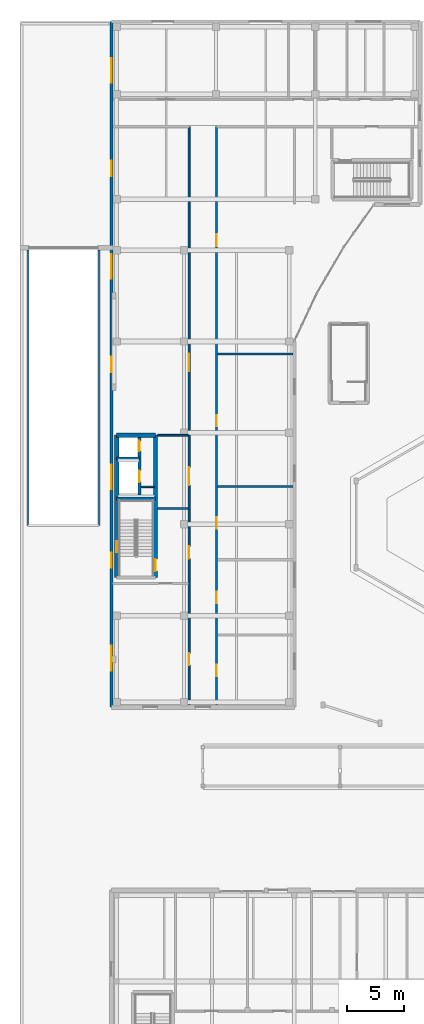
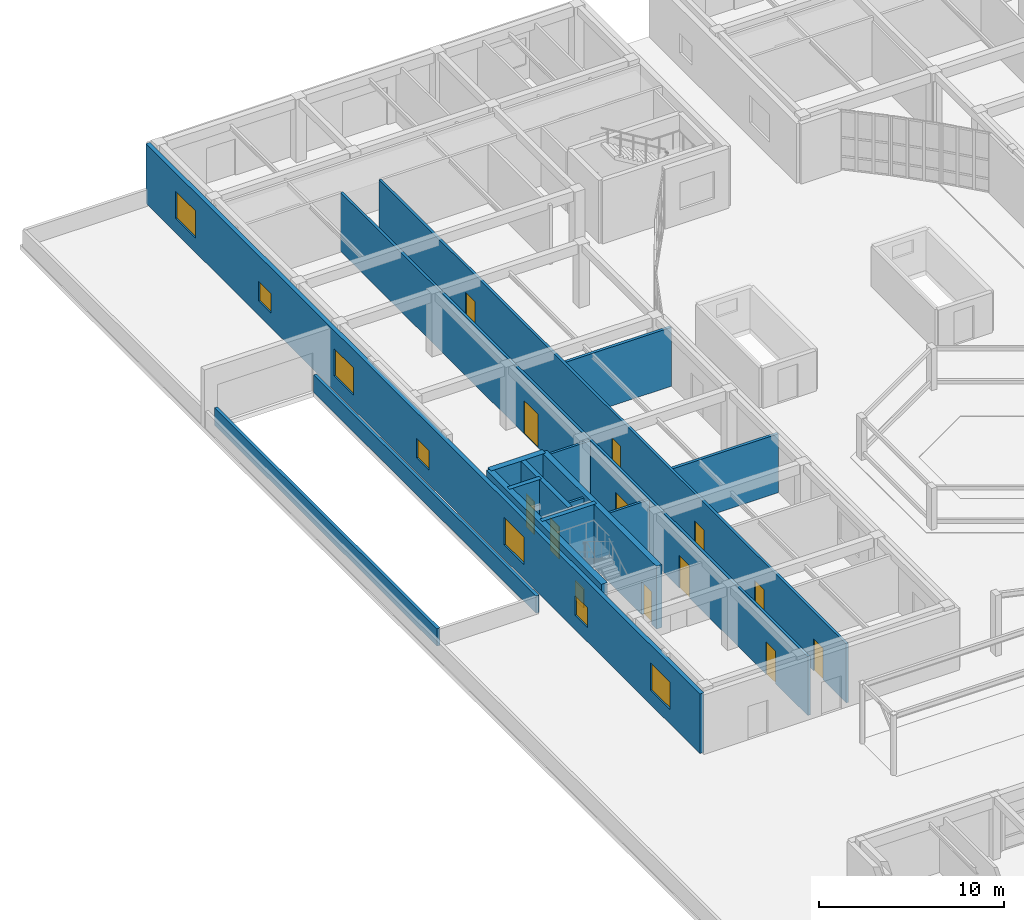
# One storey, part 79 of 114: 16 walls, 12 doors, 8 windows, 20 openings.
"""IFC4 building model written with IfcOpenShell, lengths in metres."""

from ifc_helpers import new_model, si_unit, direction, frame, frame_2d, origin, place, context, subcontext, project, spatial, rectangle, extrude, material, layer, layer_set, type_object, element, fill, save


model = new_model("IFC4")

# Units and contexts
model_context = context("Model", 3, precision=1e-05, world=origin(), true_north=direction((0.0, 1.0)))
body_context = subcontext(model_context, "Body", "Model", "MODEL_VIEW")
ifc_project = project(units=[si_unit("LENGTHUNIT", "METRE"), si_unit("AREAUNIT", "SQUARE_METRE"), si_unit("VOLUMEUNIT", "CUBIC_METRE"), si_unit("PLANEANGLEUNIT", "RADIAN"), si_unit("MASSUNIT", "GRAM", prefix="KILO")], contexts=[model_context])

# Site, building, storey
site_placement = place(None, origin())
site = spatial("IfcSite", under=ifc_project, at=site_placement, CompositionType="ELEMENT")
building_placement = place(site_placement, origin())
building = spatial("IfcBuilding", under=site, at=building_placement, Name="Keldmere Railside Commons", CompositionType="ELEMENT")
storey_placement = place(building_placement, origin())
storey = spatial("IfcBuildingStorey", under=building, at=storey_placement, Name="L00", CompositionType="ELEMENT", Elevation=0.0)

# Walls
ifc_material_1 = material(Name="Acoustic Gypsum Board Partition", Category="gypsum")
ifc_layer_1 = layer(ifc_material_1, 0.179931640625, Name="Acoustic Demising Partition 180")
ifc_layer_set_1 = layer_set([ifc_layer_1], Name="Acoustic Gypsum Board Partition")
wall_type_1 = type_object("IfcWallType", Name="Acoustic Demising Partition 180", PredefinedType="PARTITIONING", material=ifc_layer_set_1)
for number, where, z_axis, x_axis, name in (
    (1, (17.280029296875, 75.300048828125, 0.0), (0.0, 0.0, 1.0), (1.0, 0.0, 0.0), "IW-1 IW-L00-0193"),
    (2, (17.280029296875, 86.89990234375, 0.0), (0.0, 0.0, 1.0), (1.0, 0.0, 0.0), "IW-1 IW-L00-0194"),
):
    element("IfcWall", number, at=place(storey_placement, frame(where, z_axis=z_axis, x_axis=x_axis)), inside=storey, type_object=wall_type_1, Name=name, PredefinedType="PARTITIONING", context=body_context, shape_type="SweptSolid", body=[
        extrude(rectangle(XDim=6.590087890625, YDim=0.179931640625, at=frame_2d((3.294921875, 0.0))), origin(), (0.0, 0.0, 1.0), 3.89501953125),
    ])
ifc_material_2 = material(Name="Concrete H-35 (C35/45)", Category="concrete")
ifc_layer_2 = layer(ifc_material_2, 0.280029296875, Name="Core Shear Wall 280")
ifc_layer_set_2 = layer_set([ifc_layer_2], Name="Concrete H-35 (C35/45)")
wall_type_2 = type_object("IfcWallType", Name="Core Shear Wall 280", PredefinedType="SHEAR", material=ifc_layer_set_2)
wall_1_placement = place(storey_placement, frame((8.4599609375, 74.239990234375, 0.0), z_axis=(0.0, 0.0, 1.0), x_axis=(1.0, 0.0, 0.0)))
element("IfcWall", 3, at=wall_1_placement, inside=storey, type_object=wall_type_2, Name="CSW-2 COREDM-L00-0031", PredefinedType="SHEAR", context=body_context, shape_type="SweptSolid", body=[
    extrude(rectangle(XDim=3.41015625, YDim=0.280029296875, at=frame_2d((1.705078125, 0.0))), origin(), (0.0, 0.0, 1.0), 4.159912109375),
])
wall_2_placement = place(storey_placement, frame((8.4599609375, 77.75, 0.0), z_axis=(0.0, 0.0, 1.0), x_axis=(1.0, 0.0, 0.0)))
element("IfcWall", 4, at=wall_2_placement, inside=storey, type_object=wall_type_2, Name="CSW-2 COREDL-L00-0032", PredefinedType="SHEAR", context=body_context, shape_type="SweptSolid", body=[
    extrude(rectangle(XDim=2.0, YDim=0.280029296875, at=frame_2d((1.0, 0.0))), origin(), (0.0, 0.0, 1.0), 4.159912109375),
])

# Wall, openings, doors
wall_3_placement = place(storey_placement, frame((10.4599609375, 74.550048828125, 0.0), z_axis=(0.0, 0.0, 1.0), x_axis=(0.0, 1.0, 0.0)))
wall_3 = element("IfcWall", 5, at=wall_3_placement, inside=storey, type_object=wall_type_2, Name="CSW-2 LSHD-L00-0033", PredefinedType="SHEAR", context=body_context, shape_type="SweptSolid", body=[
    extrude(rectangle(XDim=5.25, YDim=0.280029296875, at=frame_2d((2.625, 0.0))), origin(), (0.0, 0.0, 1.0), 4.159912109375),
])
opening_1_placement = place(wall_3_placement, frame((1.14990234375, 0.0, 0.0)))
opening_1 = element("IfcOpeningElement", 6, at=opening_1_placement, cuts=wall_3, Name="Opening LD-1", PredefinedType="OPENING", context=body_context, shape_type="SweptSolid", body=[
    extrude(rectangle(XDim=1.0, YDim=2.14990234375, at=frame_2d((0.5, 1.074951171875))), frame((0.0, 0.14990234375, 0.0), z_axis=(0.0, -1.0, 0.0), x_axis=(1.0, 0.0, 0.0)), (0.0, 0.0, 1.0), 0.300048828125),
])
opening_2_placement = place(wall_3_placement, frame((3.85009765625, 0.0, 0.0)))
opening_2 = element("IfcOpeningElement", 7, at=opening_2_placement, cuts=wall_3, Name="Opening LD-2", PredefinedType="OPENING", context=body_context, shape_type="SweptSolid", body=[
    extrude(rectangle(XDim=0.89990234375, YDim=2.14990234375, at=frame_2d((0.449951171875, 1.074951171875))), frame((0.0, 0.14990234375, 0.0), z_axis=(0.0, -1.0, 0.0), x_axis=(1.0, 0.0, 0.0)), (0.0, 0.0, 1.0), 0.300048828125),
])
ifc_material_3 = material(Name="Steel F-24 (S235)", Category="steel")
door_type_1 = type_object("IfcDoorType", Name="Firefighting Stretcher Lift Landing Door 1000x2150", OperationType="SLIDING_TO_LEFT", PredefinedType="DOOR", material=ifc_material_3)
door_1_placement = place(opening_1_placement, origin())
door_1 = element("IfcDoor", 8, at=door_1_placement, inside=storey, type_object=door_type_1, Name="LD-1 D L00", OperationType="SLIDING_TO_LEFT", OverallHeight=2.14990234375, OverallWidth=1.0, PredefinedType="DOOR", context=body_context, shape_type="SweptSolid", body=[
    extrude(rectangle(XDim=1.0, YDim=2.14990234375, at=frame_2d((0.5, 1.074951171875))), frame((0.0, 0.02490234375, 0.0), z_axis=(0.0, -1.0, 0.0), x_axis=(1.0, 0.0, 0.0)), (0.0, 0.0, 1.0), 0.050048828125),
])
fill(opening_1, door_1)
door_type_2 = type_object("IfcDoorType", Name="Passenger Lift Sliding Landing Door 900x2150", OperationType="SLIDING_TO_RIGHT", PredefinedType="DOOR", material=ifc_material_3)
door_2_placement = place(opening_2_placement, origin())
door_2 = element("IfcDoor", 9, at=door_2_placement, inside=storey, type_object=door_type_2, Name="LD-2 D L00", OperationType="SLIDING_TO_RIGHT", OverallHeight=2.14990234375, OverallWidth=0.89990234375, PredefinedType="DOOR", context=body_context, shape_type="SweptSolid", body=[
    extrude(rectangle(XDim=0.89990234375, YDim=2.14990234375, at=frame_2d((0.449951171875, 1.074951171875))), frame((0.0, 0.02490234375, 0.0), z_axis=(0.0, -1.0, 0.0), x_axis=(1.0, 0.0, 0.0)), (0.0, 0.0, 1.0), 0.050048828125),
])
fill(opening_2, door_2)

# Wall, opening, window
ifc_material_4 = material(Name="Concrete H-40 (C40/50)", Category="concrete")
ifc_layer_3 = layer(ifc_material_4, 0.3798828125, Name="Core Shear Wall 380")
ifc_layer_set_3 = layer_set([ifc_layer_3], Name="Concrete H-40 (C40/50)")
wall_type_3 = type_object("IfcWallType", Name="Core Shear Wall 380", PredefinedType="SHEAR", material=ifc_layer_set_3)
wall_4_placement = place(storey_placement, frame((8.4599609375, 67.35009765625, 0.0), z_axis=(0.0, 0.0, 1.0), x_axis=(0.0, 1.0, 0.0)))
wall_4 = element("IfcWall", 10, at=wall_4_placement, inside=storey, type_object=wall_type_3, Name="CW-CORE COREDW-L00-0027", PredefinedType="SHEAR", context=body_context, shape_type="SweptSolid", body=[
    extrude(rectangle(XDim=12.449951171875, YDim=0.3798828125, at=frame_2d((6.22509765625, 0.0))), origin(), (0.0, 0.0, 1.0), 4.159912109375),
])
opening_3_placement = place(wall_4_placement, frame((2.199951171875, 0.0, 1.199951171875)))
opening_3 = element("IfcOpeningElement", 11, at=opening_3_placement, cuts=wall_4, Name="Opening WN-17", PredefinedType="OPENING", context=body_context, shape_type="SweptSolid", body=[
    extrude(rectangle(XDim=0.949951171875, YDim=1.25, at=frame_2d((0.47509765625, 0.625))), frame((0.0, 0.199951171875, 0.0), z_axis=(0.0, -1.0, 0.0), x_axis=(1.0, 0.0, 0.0)), (0.0, 0.0, 1.0), 0.39990234375),
])
ifc_material_5 = material(Name="Low-E Insulated Double Glazing", Category="glass")
window_type_1 = type_object("IfcWindowType", Name="Stair Core Natural Smoke-Vent Window 950x1250", PartitioningType="SINGLE_PANEL", PredefinedType="WINDOW", material=ifc_material_5)
window_1_placement = place(opening_3_placement, origin())
window_1 = element("IfcWindow", 12, at=window_1_placement, inside=storey, type_object=window_type_1, Name="WN-17 WIN-L00-0007", OverallHeight=1.25, OverallWidth=0.949951171875, PartitioningType="SINGLE_PANEL", PredefinedType="WINDOW", context=body_context, shape_type="SweptSolid", body=[
    extrude(rectangle(XDim=0.949951171875, YDim=1.25, at=frame_2d((0.47509765625, 0.625))), frame((0.0, 0.030029296875, 0.0), z_axis=(0.0, -1.0, 0.0), x_axis=(1.0, 0.0, 0.0)), (0.0, 0.0, 1.0), 0.06005859375),
])
fill(opening_3, window_1)

# Wall
wall_5_placement = place(storey_placement, frame((8.4599609375, 79.800048828125, 0.0), z_axis=(0.0, 0.0, 1.0), x_axis=(1.0, 0.0, 0.0)))
element("IfcWall", 13, at=wall_5_placement, inside=storey, type_object=wall_type_3, Name="CW-CORE COREDN-L00-0028", PredefinedType="SHEAR", context=body_context, shape_type="SweptSolid", body=[
    extrude(rectangle(XDim=3.41015625, YDim=0.3798828125, at=frame_2d((1.705078125, 0.0))), origin(), (0.0, 0.0, 1.0), 4.159912109375),
])

# Wall, openings, doors
ifc_layer_4 = layer(ifc_material_1, 0.159912109375, Name="Corridor Fire Partition 160")
ifc_layer_set_4 = layer_set([ifc_layer_4], Name="Acoustic Gypsum Board Partition")
wall_type_4 = type_object("IfcWallType", Name="Corridor Fire Partition 160", PredefinedType="PARTITIONING", material=ifc_layer_set_4)
wall_6_placement = place(storey_placement, frame((14.800048828125, 56.179931640625, 0.0), z_axis=(0.0, 0.0, 1.0), x_axis=(0.0, 1.0, 0.0)))
wall_6 = element("IfcWall", 14, at=wall_6_placement, inside=storey, type_object=wall_type_4, Name="IW-2 IW-L00-0183", PredefinedType="PARTITIONING", context=body_context, shape_type="SweptSolid", body=[
    extrude(rectangle(XDim=50.6201171875, YDim=0.159912109375, at=frame_2d((25.31005859375, 0.0))), origin(), (0.0, 0.0, 1.0), 3.89501953125),
])
opening_4_placement = place(wall_6_placement, frame((12.820068359375, 0.0, 0.0)))
opening_4 = element("IfcOpeningElement", 15, at=opening_4_placement, cuts=wall_6, Name="Opening FD-2", PredefinedType="OPENING", context=body_context, shape_type="SweptSolid", body=[
    extrude(rectangle(XDim=1.10009765625, YDim=2.14990234375, at=frame_2d((0.550048828125, 1.074951171875))), frame((0.0, 0.08984375, 0.0), z_axis=(0.0, -1.0, 0.0), x_axis=(1.0, 0.0, 0.0)), (0.0, 0.0, 1.0), 0.179931640625),
])
opening_5_placement = place(wall_6_placement, frame((19.219970703125, 0.0, 0.0)))
opening_5 = element("IfcOpeningElement", 16, at=opening_5_placement, cuts=wall_6, Name="Opening FD-4", PredefinedType="OPENING", context=body_context, shape_type="SweptSolid", body=[
    extrude(rectangle(XDim=1.60009765625, YDim=2.14990234375, at=frame_2d((0.800048828125, 1.074951171875))), frame((0.0, 0.08984375, 0.0), z_axis=(0.0, -1.0, 0.0), x_axis=(1.0, 0.0, 0.0)), (0.0, 0.0, 1.0), 0.179931640625),
])
opening_6_placement = place(wall_6_placement, frame((3.5, 0.0, 0.0)))
opening_6 = element("IfcOpeningElement", 17, at=opening_6_placement, cuts=wall_6, Name="Opening FD-1", PredefinedType="OPENING", context=body_context, shape_type="SweptSolid", body=[
    extrude(rectangle(XDim=1.050048828125, YDim=2.14990234375, at=frame_2d((0.52490234375, 1.074951171875))), frame((0.0, 0.08984375, 0.0), z_axis=(0.0, -1.0, 0.0), x_axis=(1.0, 0.0, 0.0)), (0.0, 0.0, 1.0), 0.179931640625),
])
opening_7_placement = place(wall_6_placement, frame((29.199951171875, 0.0, 0.0)))
opening_7 = element("IfcOpeningElement", 18, at=opening_7_placement, cuts=wall_6, Name="Opening ID-16", PredefinedType="OPENING", context=body_context, shape_type="SweptSolid", body=[
    extrude(rectangle(XDim=1.550048828125, YDim=2.199951171875, at=frame_2d((0.77490234375, 1.10009765625))), frame((0.0, 0.08984375, 0.0), z_axis=(0.0, -1.0, 0.0), x_axis=(1.0, 0.0, 0.0)), (0.0, 0.0, 1.0), 0.179931640625),
])
door_type_3 = type_object("IfcDoorType", Name="Bicycle Hub Double Swing Door 1550x2200", OperationType="DOUBLE_DOOR_SINGLE_SWING", PredefinedType="DOOR", material=ifc_material_3)
door_3_placement = place(opening_7_placement, origin())
door_3 = element("IfcDoor", 19, at=door_3_placement, inside=storey, type_object=door_type_3, Name="ID-16 IDR-L00-0108", OperationType="DOUBLE_DOOR_SINGLE_SWING", OverallHeight=2.199951171875, OverallWidth=1.550048828125, PredefinedType="DOOR", context=body_context, shape_type="SweptSolid", body=[
    extrude(rectangle(XDim=1.550048828125, YDim=2.199951171875, at=frame_2d((0.77490234375, 1.10009765625))), frame((0.0, 0.02490234375, 0.0), z_axis=(0.0, -1.0, 0.0), x_axis=(1.0, 0.0, 0.0)), (0.0, 0.0, 1.0), 0.050048828125),
])
fill(opening_7, door_3)
door_type_4 = type_object("IfcDoorType", Name="Corridor Cross-Compartment Double Fire Door 1600x2150", OperationType="DOUBLE_DOOR_SINGLE_SWING", PredefinedType="DOOR", material=ifc_material_3)
door_4_placement = place(opening_5_placement, origin())
door_4 = element("IfcDoor", 20, at=door_4_placement, inside=storey, type_object=door_type_4, Name="FD-4 IDR-L00-0100", OperationType="DOUBLE_DOOR_SINGLE_SWING", OverallHeight=2.14990234375, OverallWidth=1.60009765625, PredefinedType="DOOR", context=body_context, shape_type="SweptSolid", body=[
    extrude(rectangle(XDim=1.60009765625, YDim=2.14990234375, at=frame_2d((0.800048828125, 1.074951171875))), frame((0.0, 0.02490234375, 0.0), z_axis=(0.0, -1.0, 0.0), x_axis=(1.0, 0.0, 0.0)), (0.0, 0.0, 1.0), 0.050048828125),
])
fill(opening_5, door_4)
door_type_5 = type_object("IfcDoorType", Name="Firefighting Lobby Fire Door 1100x2150", OperationType="NOTDEFINED", PredefinedType="DOOR", material=ifc_material_3)
door_5_placement = place(opening_4_placement, origin())
door_5 = element("IfcDoor", 21, at=door_5_placement, inside=storey, type_object=door_type_5, Name="FD-2 IDR-L00-0099", OperationType="SINGLE_SWING_LEFT", OverallHeight=2.14990234375, OverallWidth=1.10009765625, PredefinedType="DOOR", context=body_context, shape_type="SweptSolid", body=[
    extrude(rectangle(XDim=1.10009765625, YDim=2.14990234375, at=frame_2d((0.550048828125, 1.074951171875))), frame((0.0, 0.02490234375, 0.0), z_axis=(0.0, -1.0, 0.0), x_axis=(1.0, 0.0, 0.0)), (0.0, 0.0, 1.0), 0.050048828125),
])
fill(opening_4, door_5)
door_type_6 = type_object("IfcDoorType", Name="Stair Core Fire Door 1050x2150", OperationType="NOTDEFINED", PredefinedType="DOOR", material=ifc_material_3)
door_6_placement = place(opening_6_placement, origin())
door_6 = element("IfcDoor", 22, at=door_6_placement, inside=storey, type_object=door_type_6, Name="FD-1 IDR-L00-0102", OperationType="SINGLE_SWING_RIGHT", OverallHeight=2.14990234375, OverallWidth=1.050048828125, PredefinedType="DOOR", context=body_context, shape_type="SweptSolid", body=[
    extrude(rectangle(XDim=1.050048828125, YDim=2.14990234375, at=frame_2d((0.52490234375, 1.074951171875))), frame((0.0, 0.02490234375, 0.0), z_axis=(0.0, -1.0, 0.0), x_axis=(1.0, 0.0, 0.0)), (0.0, 0.0, 1.0), 0.050048828125),
])
fill(opening_6, door_6)

wall_7_placement = place(storey_placement, frame((17.199951171875, 56.179931640625, 0.0), z_axis=(0.0, 0.0, 1.0), x_axis=(0.0, 1.0, 0.0)))
wall_7 = element("IfcWall", 23, at=wall_7_placement, inside=storey, type_object=wall_type_4, Name="IW-2 IW-L00-0184", PredefinedType="PARTITIONING", context=body_context, shape_type="SweptSolid", body=[
    extrude(rectangle(XDim=50.6201171875, YDim=0.159912109375, at=frame_2d((25.31005859375, 0.0))), origin(), (0.0, 0.0, 1.0), 3.89501953125),
])
opening_8_placement = place(wall_7_placement, frame((2.514892578125, 0.0, 0.0)))
opening_8 = element("IfcOpeningElement", 24, at=opening_8_placement, cuts=wall_7, Name="Opening FD-9", PredefinedType="OPENING", context=body_context, shape_type="SweptSolid", body=[
    extrude(rectangle(XDim=1.0, YDim=2.10009765625, at=frame_2d((0.5, 1.050048828125))), frame((0.0, 0.08984375, 0.0), z_axis=(0.0, -1.0, 0.0), x_axis=(1.0, 0.0, 0.0)), (0.0, 0.0, 1.0), 0.179931640625),
])
opening_9_placement = place(wall_7_placement, frame((8.919921875, 0.0, 0.0)))
opening_9 = element("IfcOpeningElement", 25, at=opening_9_placement, cuts=wall_7, Name="Opening FD-9", PredefinedType="OPENING", context=body_context, shape_type="SweptSolid", body=[
    extrude(rectangle(XDim=1.0, YDim=2.10009765625, at=frame_2d((0.5, 1.050048828125))), frame((0.0, 0.08984375, 0.0), z_axis=(0.0, -1.0, 0.0), x_axis=(1.0, 0.0, 0.0)), (0.0, 0.0, 1.0), 0.179931640625),
])
opening_10_placement = place(wall_7_placement, frame((15.419921875, 0.0, 0.0)))
opening_10 = element("IfcOpeningElement", 26, at=opening_10_placement, cuts=wall_7, Name="Opening FD-9", PredefinedType="OPENING", context=body_context, shape_type="SweptSolid", body=[
    extrude(rectangle(XDim=1.0, YDim=2.10009765625, at=frame_2d((0.5, 1.050048828125))), frame((0.0, 0.08984375, 0.0), z_axis=(0.0, -1.0, 0.0), x_axis=(1.0, 0.0, 0.0)), (0.0, 0.0, 1.0), 0.179931640625),
])
opening_11_placement = place(wall_7_placement, frame((24.419921875, 0.0, 0.0)))
opening_11 = element("IfcOpeningElement", 27, at=opening_11_placement, cuts=wall_7, Name="Opening ID-08", PredefinedType="OPENING", context=body_context, shape_type="SweptSolid", body=[
    extrude(rectangle(XDim=0.9599609375, YDim=2.14990234375, at=frame_2d((0.47998046875, 1.074951171875))), frame((0.0, 0.08984375, 0.0), z_axis=(0.0, -1.0, 0.0), x_axis=(1.0, 0.0, 0.0)), (0.0, 0.0, 1.0), 0.179931640625),
])
opening_12_placement = place(wall_7_placement, frame((40.175048828125, 0.0, 0.0)))
opening_12 = element("IfcOpeningElement", 28, at=opening_12_placement, cuts=wall_7, Name="Opening ID-14", PredefinedType="OPENING", context=body_context, shape_type="SweptSolid", body=[
    extrude(rectangle(XDim=1.0400390625, YDim=2.14990234375, at=frame_2d((0.52001953125, 1.074951171875))), frame((0.0, 0.08984375, 0.0), z_axis=(0.0, -1.0, 0.0), x_axis=(1.0, 0.0, 0.0)), (0.0, 0.0, 1.0), 0.179931640625),
])
door_type_7 = type_object("IfcDoorType", Name="Market Shop Back-of-House Door 1040x2150", OperationType="NOTDEFINED", PredefinedType="DOOR", material=ifc_material_3)
door_7_placement = place(opening_12_placement, origin())
door_7 = element("IfcDoor", 29, at=door_7_placement, inside=storey, type_object=door_type_7, Name="ID-14 IDR-L00-0107", OperationType="SINGLE_SWING_LEFT", OverallHeight=2.14990234375, OverallWidth=1.0400390625, PredefinedType="DOOR", context=body_context, shape_type="SweptSolid", body=[
    extrude(rectangle(XDim=1.0400390625, YDim=2.14990234375, at=frame_2d((0.52001953125, 1.074951171875))), frame((0.0, 0.02490234375, 0.0), z_axis=(0.0, -1.0, 0.0), x_axis=(1.0, 0.0, 0.0)), (0.0, 0.0, 1.0), 0.050048828125),
])
fill(opening_12, door_7)
ifc_material_6 = material(Name="Engineered Oak Timber", Category="wood")
door_type_8 = type_object("IfcDoorType", Name="Study & Meeting Room Door 960x2150", OperationType="NOTDEFINED", PredefinedType="DOOR", material=ifc_material_6)
door_8_placement = place(opening_11_placement, origin())
door_8 = element("IfcDoor", 30, at=door_8_placement, inside=storey, type_object=door_type_8, Name="ID-08 IDR-L00-0106", OperationType="SINGLE_SWING_RIGHT", OverallHeight=2.14990234375, OverallWidth=0.9599609375, PredefinedType="DOOR", context=body_context, shape_type="SweptSolid", body=[
    extrude(rectangle(XDim=0.9599609375, YDim=2.14990234375, at=frame_2d((0.47998046875, 1.074951171875))), frame((0.0, 0.02490234375, 0.0), z_axis=(0.0, -1.0, 0.0), x_axis=(1.0, 0.0, 0.0)), (0.0, 0.0, 1.0), 0.050048828125),
])
fill(opening_11, door_8)
door_type_9 = type_object("IfcDoorType", Name="Waste & Storage Fire Door 1000x2100", OperationType="NOTDEFINED", PredefinedType="DOOR", material=ifc_material_3)
door_9_placement = place(opening_8_placement, origin())
door_9 = element("IfcDoor", 31, at=door_9_placement, inside=storey, type_object=door_type_9, Name="FD-9 IDR-L00-0103", OperationType="SINGLE_SWING_LEFT", OverallHeight=2.10009765625, OverallWidth=1.0, PredefinedType="DOOR", context=body_context, shape_type="SweptSolid", body=[
    extrude(rectangle(XDim=1.0, YDim=2.10009765625, at=frame_2d((0.5, 1.050048828125))), frame((0.0, 0.02490234375, 0.0), z_axis=(0.0, -1.0, 0.0), x_axis=(1.0, 0.0, 0.0)), (0.0, 0.0, 1.0), 0.050048828125),
])
fill(opening_8, door_9)
door_10_placement = place(opening_9_placement, origin())
door_10 = element("IfcDoor", 32, at=door_10_placement, inside=storey, type_object=door_type_9, Name="FD-9 IDR-L00-0104", OperationType="SINGLE_SWING_RIGHT", OverallHeight=2.10009765625, OverallWidth=1.0, PredefinedType="DOOR", context=body_context, shape_type="SweptSolid", body=[
    extrude(rectangle(XDim=1.0, YDim=2.10009765625, at=frame_2d((0.5, 1.050048828125))), frame((0.0, 0.02490234375, 0.0), z_axis=(0.0, -1.0, 0.0), x_axis=(1.0, 0.0, 0.0)), (0.0, 0.0, 1.0), 0.050048828125),
])
fill(opening_9, door_10)
door_11_placement = place(opening_10_placement, origin())
door_11 = element("IfcDoor", 33, at=door_11_placement, inside=storey, type_object=door_type_9, Name="FD-9 IDR-L00-0105", OperationType="SINGLE_SWING_LEFT", OverallHeight=2.10009765625, OverallWidth=1.0, PredefinedType="DOOR", context=body_context, shape_type="SweptSolid", body=[
    extrude(rectangle(XDim=1.0, YDim=2.10009765625, at=frame_2d((0.5, 1.050048828125))), frame((0.0, 0.02490234375, 0.0), z_axis=(0.0, -1.0, 0.0), x_axis=(1.0, 0.0, 0.0)), (0.0, 0.0, 1.0), 0.050048828125),
])
fill(opening_10, door_11)

# Wall, opening, door
ifc_layer_5 = layer(ifc_material_2, 0.340087890625, Name="Interior Shear Wall 340")
ifc_layer_set_5 = layer_set([ifc_layer_5], Name="Concrete H-35 (C35/45)")
wall_type_5 = type_object("IfcWallType", Name="Interior Shear Wall 340", PredefinedType="SHEAR", material=ifc_layer_set_5)
wall_8_placement = place(storey_placement, frame((11.8701171875, 79.800048828125, 0.0), z_axis=(0.0, 0.0, 1.0), x_axis=(0.0, -1.0, 0.0)))
wall_8 = element("IfcWall", 34, at=wall_8_placement, inside=storey, type_object=wall_type_5, Name="ISW-1 COREDE-L00-0029", PredefinedType="SHEAR", context=body_context, shape_type="SweptSolid", body=[
    extrude(rectangle(XDim=12.449951171875, YDim=0.340087890625, at=frame_2d((6.22509765625, 0.0))), origin(), (0.0, 0.0, 1.0), 4.159912109375),
])
opening_13_placement = place(wall_8_placement, frame((10.85009765625, 0.0, 0.0)))
opening_13 = element("IfcOpeningElement", 35, at=opening_13_placement, cuts=wall_8, Name="Opening FD-1", PredefinedType="OPENING", context=body_context, shape_type="SweptSolid", body=[
    extrude(rectangle(XDim=1.050048828125, YDim=2.14990234375, at=frame_2d((0.52490234375, 1.074951171875))), frame((0.0, 0.179931640625, 0.0), z_axis=(0.0, -1.0, 0.0), x_axis=(1.0, 0.0, 0.0)), (0.0, 0.0, 1.0), 0.360107421875),
])
door_12_placement = place(opening_13_placement, origin())
door_12 = element("IfcDoor", 36, at=door_12_placement, inside=storey, type_object=door_type_6, Name="FD-1 D1 L00", OperationType="SINGLE_SWING_LEFT", OverallHeight=2.14990234375, OverallWidth=1.050048828125, PredefinedType="DOOR", context=body_context, shape_type="SweptSolid", body=[
    extrude(rectangle(XDim=1.050048828125, YDim=2.14990234375, at=frame_2d((0.52490234375, 1.074951171875))), frame((0.0, 0.02490234375, 0.0), z_axis=(0.0, -1.0, 0.0), x_axis=(1.0, 0.0, 0.0)), (0.0, 0.0, 1.0), 0.050048828125),
])
fill(opening_13, door_12)

# Walls
ifc_layer_6 = layer(ifc_material_1, 0.14990234375, Name="Lobby Rated Partition 150")
ifc_layer_set_6 = layer_set([ifc_layer_6], Name="Acoustic Gypsum Board Partition")
wall_type_6 = type_object("IfcWallType", Name="Lobby Rated Partition 150", PredefinedType="PARTITIONING", material=ifc_layer_set_6)
wall_9_placement = place(storey_placement, frame((10.60009765625, 75.280029296875, 0.0), z_axis=(0.0, 0.0, 1.0), x_axis=(1.0, 0.0, 0.0)))
element("IfcWall", 37, at=wall_9_placement, inside=storey, type_object=wall_type_6, Name="IW-3 RSRND-L00-0034", PredefinedType="PARTITIONING", context=body_context, shape_type="SweptSolid", body=[
    extrude(rectangle(XDim=1.1298828125, YDim=0.14990234375, at=frame_2d((0.56494140625, 0.0))), origin(), (0.0, 0.0, 1.0), 3.909912109375),
])
for number, where, z_axis, x_axis, name in (
    (38, (12.0400390625, 73.3798828125, 0.0), (0.0, 0.0, 1.0), (1.0, 0.0, 0.0), "IW-3 IW-L00-0181"),
    (39, (12.0400390625, 79.800048828125, 0.0), (0.0, 0.0, 1.0), (1.0, 0.0, 0.0), "IW-3 IW-L00-0182"),
):
    element("IfcWall", number, at=place(storey_placement, frame(where, z_axis=z_axis, x_axis=x_axis)), inside=storey, type_object=wall_type_6, Name=name, PredefinedType="PARTITIONING", context=body_context, shape_type="SweptSolid", body=[
        extrude(rectangle(XDim=2.679931640625, YDim=0.14990234375, at=frame_2d((1.33984375, 0.0))), origin(), (0.0, 0.0, 1.0), 3.89501953125),
    ])
ifc_material_7 = material(Name="Architectural Precast Concrete H-35 (C35/45)", Category="concrete")
ifc_layer_7 = layer(ifc_material_7, 0.18994140625, Name="Roof Parapet Wall 190")
ifc_layer_set_7 = layer_set([ifc_layer_7], Name="Architectural Precast Concrete H-35 (C35/45)")
wall_type_7 = type_object("IfcWallType", Name="Roof Parapet Wall 190", PredefinedType="PARAPET", material=ifc_layer_set_7)
for number, where, z_axis, x_axis, name in (
    (40, (0.699951171875, 96.0, 0.0), (0.0, 0.0, 1.0), (0.0, -1.0, 0.0), "PW-1 WAL-RAMP-PAR-W"),
    (41, (6.89990234375, 71.89990234375, 0.0), (0.0, 0.0, 1.0), (0.0, 1.0, 0.0), "PW-1 WAL-RAMP-PAR-E"),
):
    element("IfcWall", number, at=place(storey_placement, frame(where, z_axis=z_axis, x_axis=x_axis)), inside=storey, type_object=wall_type_7, Name=name, PredefinedType="PARAPET", context=body_context, shape_type="SweptSolid", body=[
        extrude(rectangle(XDim=24.10009765625, YDim=0.18994140625, at=frame_2d((12.050048828125, 0.0))), origin(), (0.0, 0.0, 1.0), 1.14990234375),
    ])

# Wall, openings, windows
ifc_material_8 = material(Name="Terracotta Brick Masonry", Category="masonry")
ifc_layer_8 = layer(ifc_material_8, 0.260009765625, Name="Terracotta Cavity Wall 260")
ifc_layer_set_8 = layer_set([ifc_layer_8], Name="Terracotta Brick Masonry")
wall_type_8 = type_object("IfcWallType", Name="Terracotta Cavity Wall 260", PredefinedType="SOLIDWALL", material=ifc_layer_set_8)
wall_10_placement = place(storey_placement, frame((8.0, 56.0, 0.0), z_axis=(0.0, 0.0, 1.0), x_axis=(0.0, 1.0, 0.0)))
wall_10 = element("IfcWall", 42, at=wall_10_placement, inside=storey, type_object=wall_type_8, Name="EW-1 EXTD-L00-0128", PredefinedType="SOLIDWALL", context=body_context, shape_type="SweptSolid", body=[
    extrude(rectangle(XDim=60.0, YDim=0.260009765625, at=frame_2d((30.0, 0.0))), origin(), (0.0, 0.0, 1.0), 3.93994140625),
])
opening_14_placement = place(wall_10_placement, frame((3.210693359375, 0.0, 0.949951171875)))
opening_14 = element("IfcOpeningElement", 43, at=opening_14_placement, cuts=wall_10, Name="Opening WN-41", PredefinedType="OPENING", context=body_context, shape_type="SweptSolid", body=[
    extrude(rectangle(XDim=2.14990234375, YDim=1.800048828125, at=frame_2d((1.074951171875, 0.89990234375))), frame((0.0, 0.139892578125, 0.0), z_axis=(0.0, -1.0, 0.0), x_axis=(1.0, 0.0, 0.0)), (0.0, 0.0, 1.0), 0.280029296875),
])
opening_15_placement = place(wall_10_placement, frame((12.18212890625, 0.0, 0.949951171875)))
opening_15 = element("IfcOpeningElement", 44, at=opening_15_placement, cuts=wall_10, Name="Opening WN-25", PredefinedType="OPENING", context=body_context, shape_type="SweptSolid", body=[
    extrude(rectangle(XDim=1.35009765625, YDim=1.300048828125, at=frame_2d((0.675048828125, 0.64990234375))), frame((0.0, 0.139892578125, 0.0), z_axis=(0.0, -1.0, 0.0), x_axis=(1.0, 0.0, 0.0)), (0.0, 0.0, 1.0), 0.280029296875),
])
opening_16_placement = place(wall_10_placement, frame((19.0537109375, 0.0, 0.949951171875)))
opening_16 = element("IfcOpeningElement", 45, at=opening_16_placement, cuts=wall_10, Name="Opening WN-41", PredefinedType="OPENING", context=body_context, shape_type="SweptSolid", body=[
    extrude(rectangle(XDim=2.14990234375, YDim=1.800048828125, at=frame_2d((1.074951171875, 0.89990234375))), frame((0.0, 0.139892578125, 0.0), z_axis=(0.0, -1.0, 0.0), x_axis=(1.0, 0.0, 0.0)), (0.0, 0.0, 1.0), 0.280029296875),
])
opening_17_placement = place(wall_10_placement, frame((29.324951171875, 0.0, 0.949951171875)))
opening_17 = element("IfcOpeningElement", 46, at=opening_17_placement, cuts=wall_10, Name="Opening WN-25", PredefinedType="OPENING", context=body_context, shape_type="SweptSolid", body=[
    extrude(rectangle(XDim=1.35009765625, YDim=1.300048828125, at=frame_2d((0.675048828125, 0.64990234375))), frame((0.0, 0.139892578125, 0.0), z_axis=(0.0, -1.0, 0.0), x_axis=(1.0, 0.0, 0.0)), (0.0, 0.0, 1.0), 0.280029296875),
])
opening_18_placement = place(wall_10_placement, frame((37.496337890625, 0.0, 0.949951171875)))
opening_18 = element("IfcOpeningElement", 47, at=opening_18_placement, cuts=wall_10, Name="Opening WN-41", PredefinedType="OPENING", context=body_context, shape_type="SweptSolid", body=[
    extrude(rectangle(XDim=2.14990234375, YDim=1.800048828125, at=frame_2d((1.074951171875, 0.89990234375))), frame((0.0, 0.139892578125, 0.0), z_axis=(0.0, -1.0, 0.0), x_axis=(1.0, 0.0, 0.0)), (0.0, 0.0, 1.0), 0.280029296875),
])
opening_19_placement = place(wall_10_placement, frame((46.468017578125, 0.0, 0.949951171875)))
opening_19 = element("IfcOpeningElement", 48, at=opening_19_placement, cuts=wall_10, Name="Opening WN-25", PredefinedType="OPENING", context=body_context, shape_type="SweptSolid", body=[
    extrude(rectangle(XDim=1.35009765625, YDim=1.300048828125, at=frame_2d((0.675048828125, 0.64990234375))), frame((0.0, 0.139892578125, 0.0), z_axis=(0.0, -1.0, 0.0), x_axis=(1.0, 0.0, 0.0)), (0.0, 0.0, 1.0), 0.280029296875),
])
opening_20_placement = place(wall_10_placement, frame((54.639404296875, 0.0, 0.949951171875)))
opening_20 = element("IfcOpeningElement", 49, at=opening_20_placement, cuts=wall_10, Name="Opening WN-41", PredefinedType="OPENING", context=body_context, shape_type="SweptSolid", body=[
    extrude(rectangle(XDim=2.14990234375, YDim=1.800048828125, at=frame_2d((1.074951171875, 0.89990234375))), frame((0.0, 0.139892578125, 0.0), z_axis=(0.0, -1.0, 0.0), x_axis=(1.0, 0.0, 0.0)), (0.0, 0.0, 1.0), 0.280029296875),
])
window_type_2 = type_object("IfcWindowType", Name="North Plinth Gallery Window 2150x1800", PartitioningType="SINGLE_PANEL", PredefinedType="WINDOW", material=ifc_material_5)
window_2_placement = place(opening_14_placement, origin())
window_2 = element("IfcWindow", 50, at=window_2_placement, inside=storey, type_object=window_type_2, Name="WN-41 WIN-L00-0021", OverallHeight=1.800048828125, OverallWidth=2.14990234375, PartitioningType="SINGLE_PANEL", PredefinedType="WINDOW", context=body_context, shape_type="SweptSolid", body=[
    extrude(rectangle(XDim=2.14990234375, YDim=1.800048828125, at=frame_2d((1.074951171875, 0.89990234375))), frame((0.0, 0.030029296875, 0.0), z_axis=(0.0, -1.0, 0.0), x_axis=(1.0, 0.0, 0.0)), (0.0, 0.0, 1.0), 0.06005859375),
])
fill(opening_14, window_2)
window_3_placement = place(opening_16_placement, origin())
window_3 = element("IfcWindow", 51, at=window_3_placement, inside=storey, type_object=window_type_2, Name="WN-41 WIN-L00-0023", OverallHeight=1.800048828125, OverallWidth=2.14990234375, PartitioningType="SINGLE_PANEL", PredefinedType="WINDOW", context=body_context, shape_type="SweptSolid", body=[
    extrude(rectangle(XDim=2.14990234375, YDim=1.800048828125, at=frame_2d((1.074951171875, 0.89990234375))), frame((0.0, 0.030029296875, 0.0), z_axis=(0.0, -1.0, 0.0), x_axis=(1.0, 0.0, 0.0)), (0.0, 0.0, 1.0), 0.06005859375),
])
fill(opening_16, window_3)
window_4_placement = place(opening_18_placement, origin())
window_4 = element("IfcWindow", 52, at=window_4_placement, inside=storey, type_object=window_type_2, Name="WN-41 WIN-L00-0025", OverallHeight=1.800048828125, OverallWidth=2.14990234375, PartitioningType="SINGLE_PANEL", PredefinedType="WINDOW", context=body_context, shape_type="SweptSolid", body=[
    extrude(rectangle(XDim=2.14990234375, YDim=1.800048828125, at=frame_2d((1.074951171875, 0.89990234375))), frame((0.0, 0.030029296875, 0.0), z_axis=(0.0, -1.0, 0.0), x_axis=(1.0, 0.0, 0.0)), (0.0, 0.0, 1.0), 0.06005859375),
])
fill(opening_18, window_4)
window_5_placement = place(opening_20_placement, origin())
window_5 = element("IfcWindow", 53, at=window_5_placement, inside=storey, type_object=window_type_2, Name="WN-41 WIN-L00-0027", OverallHeight=1.800048828125, OverallWidth=2.14990234375, PartitioningType="SINGLE_PANEL", PredefinedType="WINDOW", context=body_context, shape_type="SweptSolid", body=[
    extrude(rectangle(XDim=2.14990234375, YDim=1.800048828125, at=frame_2d((1.074951171875, 0.89990234375))), frame((0.0, 0.030029296875, 0.0), z_axis=(0.0, -1.0, 0.0), x_axis=(1.0, 0.0, 0.0)), (0.0, 0.0, 1.0), 0.06005859375),
])
fill(opening_20, window_5)
window_type_3 = type_object("IfcWindowType", Name="Podium Laundry & Mailroom Window 1350x1300", PartitioningType="SINGLE_PANEL", PredefinedType="WINDOW", material=ifc_material_5)
window_6_placement = place(opening_15_placement, origin())
window_6 = element("IfcWindow", 54, at=window_6_placement, inside=storey, type_object=window_type_3, Name="WN-25 WIN-L00-0022", OverallHeight=1.300048828125, OverallWidth=1.35009765625, PartitioningType="SINGLE_PANEL", PredefinedType="WINDOW", context=body_context, shape_type="SweptSolid", body=[
    extrude(rectangle(XDim=1.35009765625, YDim=1.300048828125, at=frame_2d((0.675048828125, 0.64990234375))), frame((0.0, 0.030029296875, 0.0), z_axis=(0.0, -1.0, 0.0), x_axis=(1.0, 0.0, 0.0)), (0.0, 0.0, 1.0), 0.06005859375),
])
fill(opening_15, window_6)
window_7_placement = place(opening_17_placement, origin())
window_7 = element("IfcWindow", 55, at=window_7_placement, inside=storey, type_object=window_type_3, Name="WN-25 WIN-L00-0024", OverallHeight=1.300048828125, OverallWidth=1.35009765625, PartitioningType="SINGLE_PANEL", PredefinedType="WINDOW", context=body_context, shape_type="SweptSolid", body=[
    extrude(rectangle(XDim=1.35009765625, YDim=1.300048828125, at=frame_2d((0.675048828125, 0.64990234375))), frame((0.0, 0.030029296875, 0.0), z_axis=(0.0, -1.0, 0.0), x_axis=(1.0, 0.0, 0.0)), (0.0, 0.0, 1.0), 0.06005859375),
])
fill(opening_17, window_7)
window_8_placement = place(opening_19_placement, origin())
window_8 = element("IfcWindow", 56, at=window_8_placement, inside=storey, type_object=window_type_3, Name="WN-25 WIN-L00-0026", OverallHeight=1.300048828125, OverallWidth=1.35009765625, PartitioningType="SINGLE_PANEL", PredefinedType="WINDOW", context=body_context, shape_type="SweptSolid", body=[
    extrude(rectangle(XDim=1.35009765625, YDim=1.300048828125, at=frame_2d((0.675048828125, 0.64990234375))), frame((0.0, 0.030029296875, 0.0), z_axis=(0.0, -1.0, 0.0), x_axis=(1.0, 0.0, 0.0)), (0.0, 0.0, 1.0), 0.06005859375),
])
fill(opening_19, window_8)

save(model, "model.ifc")
